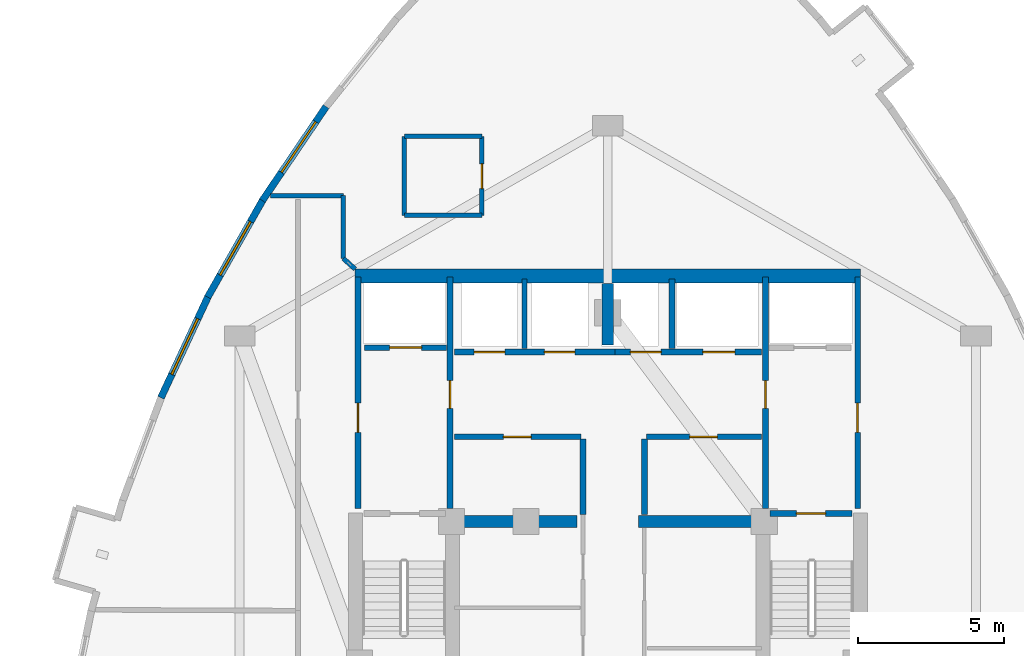
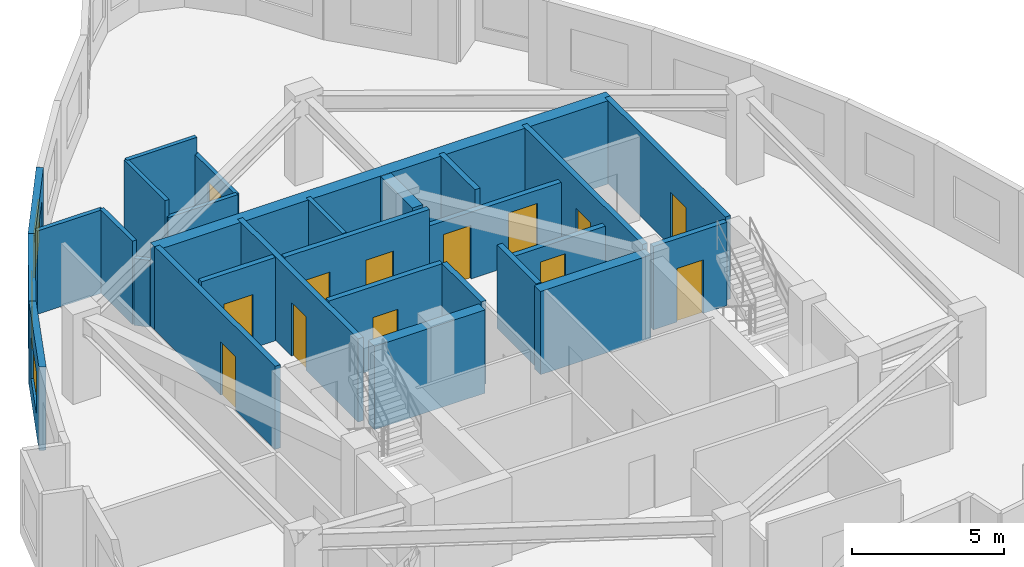
# One storey, part 6 of 9: 28 walls, 13 doors, 3 windows, 16 openings.
"""IFC4 building model written with IfcOpenShell, lengths in metres."""

from ifc_helpers import new_model, si_unit, direction, frame, frame_2d, origin, place, context, subcontext, project, spatial, rectangle, extrude, material, layer, layer_set, type_object, element, fill, save


model = new_model("IFC4")

# Units and contexts
model_context = context("Model", 3, precision=1e-05, world=origin(), true_north=direction((0.0, 1.0)))
body_context = subcontext(model_context, "Body", "Model", "MODEL_VIEW")
ifc_project = project(units=[si_unit("LENGTHUNIT", "METRE"), si_unit("AREAUNIT", "SQUARE_METRE"), si_unit("VOLUMEUNIT", "CUBIC_METRE"), si_unit("PLANEANGLEUNIT", "RADIAN"), si_unit("MASSUNIT", "GRAM", prefix="KILO")], contexts=[model_context])

# Site, building, storey
site_placement = place(None, origin())
site = spatial("IfcSite", under=ifc_project, at=site_placement, CompositionType="ELEMENT")
building_placement = place(site_placement, origin())
building = spatial("IfcBuilding", under=site, at=building_placement, Name="Miruveldt Soraemaru", CompositionType="ELEMENT")
storey_placement = place(building_placement, frame((0.0, 0.0, 223.199951171875)))
storey = spatial("IfcBuildingStorey", under=building, at=storey_placement, Name="L61", CompositionType="ELEMENT", Elevation=223.199951171875)

# Walls
ifc_material_1 = material(Name="Concrete C70/85 (70 MPa)", Category="concrete")
ifc_layer_1 = layer(ifc_material_1, 0.5, Name="Concrete C70/85 (70 MPa)", Category="concrete")
ifc_layer_set_1 = layer_set([ifc_layer_1], Name="Concrete C70/85 (70 MPa)")
wall_type_1 = type_object("IfcWallType", Name="WALL-BW-500", PredefinedType="SHEAR", material=ifc_layer_set_1)
wall_1_placement = place(storey_placement, frame((44.0, 50.10009765625, 0.0), z_axis=(0.0, 0.0, 1.0), x_axis=(0.0, 1.0, 0.0)))
element("IfcWall", 1, at=wall_1_placement, inside=storey, type_object=wall_type_1, Name="L61 Core Buttress Shear Wall BN", PredefinedType="SHEAR", context=body_context, shape_type="SweptSolid", body=[
    extrude(rectangle(XDim=2.099853515625, YDim=0.39990234375, at=frame_2d((1.0498046875, 0.0))), origin(), (0.0, 0.0, 1.0), 3.344970703125),
])
for number, where, z_axis, x_axis, name in (
    (2, (38.75, 44.050048828125, 0.0), (0.0, 0.0, 1.0), (1.0, 0.0, 0.0), "L61 Core Buttress Shear Wall BW"),
    (3, (45.050048828125, 44.050048828125, 0.0), (0.0, 0.0, 1.0), (1.0, 0.0, 0.0), "L61 Core Buttress Shear Wall BE"),
):
    element("IfcWall", number, at=place(storey_placement, frame(where, z_axis=z_axis, x_axis=x_axis)), inside=storey, type_object=wall_type_1, Name=name, PredefinedType="SHEAR", context=body_context, shape_type="SweptSolid", body=[
        extrude(rectangle(XDim=4.199951171875, YDim=0.39990234375, at=frame_2d((2.10009765625, 0.0))), origin(), (0.0, 0.0, 1.0), 3.344970703125),
    ])
ifc_material_2 = material(Name="Concrete C60/75 (60 MPa)", Category="concrete")
ifc_layer_2 = layer(ifc_material_2, 0.47998046875, Name="Concrete C60/75 (60 MPa)", Category="concrete")
ifc_layer_set_2 = layer_set([ifc_layer_2], Name="Concrete C60/75 (60 MPa)")
wall_type_2 = type_object("IfcWallType", Name="WALL-CW-480", PredefinedType="SHEAR", material=ifc_layer_set_2)
wall_2_placement = place(storey_placement, frame((35.35009765625, 52.449951171875, 0.0), z_axis=(0.0, 0.0, 1.0), x_axis=(1.0, 0.0, 0.0)))
element("IfcWall", 4, at=wall_2_placement, inside=storey, type_object=wall_type_2, Name="L61 Central Core Shear Wall N", PredefinedType="SHEAR", context=body_context, shape_type="SweptSolid", body=[
    extrude(rectangle(XDim=17.2998046875, YDim=0.47998046875, at=frame_2d((8.64990234375, 0.0))), origin(), (0.0, 0.0, 1.0), 3.344970703125),
])

# Wall, opening, window
ifc_material_3 = material(Name="Precast concrete C45/55 (45 MPa)", Category="concrete")
ifc_layer_3 = layer(ifc_material_3, 0.239990234375, Name="Precast concrete C45/55 (45 MPa)", Category="concrete")
ifc_layer_set_3 = layer_set([ifc_layer_3], Name="Precast concrete C45/55 (45 MPa)")
wall_type_3 = type_object("IfcWallType", Name="WALL-EXT-PC240", PredefinedType="SOLIDWALL", material=ifc_layer_set_3)
wall_3_placement = place(storey_placement, frame((34.358642578125, 58.252197265625, 0.0), z_axis=(0.0, 0.0, 1.0), x_axis=(-0.56079817789, -0.827952537091, 0.0)))
wall_3 = element("IfcWall", 5, at=wall_3_placement, inside=storey, type_object=wall_type_3, Name="L61 Precast Concrete Facade Wall 9", PredefinedType="SOLIDWALL", context=body_context, shape_type="SweptSolid", body=[
    extrude(rectangle(XDim=3.889404296875, YDim=0.239990234375, at=frame_2d((1.94482421875, 0.0))), origin(), (0.0, 0.0, 1.0), 3.344970703125),
])
opening_1_placement = place(wall_3_placement, frame((0.626953125, 0.0, 0.800048828125)))
opening_1 = element("IfcOpeningElement", 6, at=opening_1_placement, cuts=wall_3, Name="Opening WN-1", PredefinedType="OPENING", context=body_context, shape_type="SweptSolid", body=[
    extrude(rectangle(XDim=2.10009765625, YDim=1.699951171875, at=frame_2d((1.050048828125, 0.85009765625))), frame((0.0, 0.1298828125, 0.0), z_axis=(0.0, -1.0, 0.0), x_axis=(1.0, 0.0, 0.0)), (0.0, 0.0, 1.0), 0.260009765625),
])
ifc_material_4 = material(Name="Triple low-e insulated glazing", Category="glass")
window_type = type_object("IfcWindowType", Name="WIN-PUNCH-2100x1700", PartitioningType="SINGLE_PANEL", PredefinedType="WINDOW", material=ifc_material_4)
window_1_placement = place(opening_1_placement, origin())
window_1 = element("IfcWindow", 7, at=window_1_placement, inside=storey, type_object=window_type, Name="L61 Punched Triple-Glazed Window 09.1", OverallHeight=1.699951171875, OverallWidth=2.10009765625, PartitioningType="SINGLE_PANEL", PredefinedType="WINDOW", context=body_context, shape_type="SweptSolid", body=[
    extrude(rectangle(XDim=2.10009765625, YDim=1.699951171875, at=frame_2d((1.050048828125, 0.85009765625))), frame((0.0, 0.030029296875, 0.0), z_axis=(0.0, -1.0, 0.0), x_axis=(1.0, 0.0, 0.0)), (0.0, 0.0, 1.0), 0.06005859375),
])
fill(opening_1, window_1)

wall_4_placement = place(storey_placement, frame((32.21435546875, 55.091552734375, 0.0), z_axis=(0.0, 0.0, 1.0), x_axis=(-0.493367923575, -0.86982072405, 0.0)))
wall_4 = element("IfcWall", 8, at=wall_4_placement, inside=storey, type_object=wall_type_3, Name="L61 Precast Concrete Facade Wall 10", PredefinedType="SOLIDWALL", context=body_context, shape_type="SweptSolid", body=[
    extrude(rectangle(XDim=3.865234375, YDim=0.239990234375, at=frame_2d((1.9326171875, 0.0))), origin(), (0.0, 0.0, 1.0), 3.344970703125),
])
opening_2_placement = place(wall_4_placement, frame((0.89599609375, 0.0, 0.800048828125)))
opening_2 = element("IfcOpeningElement", 9, at=opening_2_placement, cuts=wall_4, Name="Opening WN-1", PredefinedType="OPENING", context=body_context, shape_type="SweptSolid", body=[
    extrude(rectangle(XDim=2.10009765625, YDim=1.699951171875, at=frame_2d((1.050048828125, 0.85009765625))), frame((0.0, 0.1298828125, 0.0), z_axis=(0.0, -1.0, 0.0), x_axis=(1.0, 0.0, 0.0)), (0.0, 0.0, 1.0), 0.260009765625),
])
window_2_placement = place(opening_2_placement, origin())
window_2 = element("IfcWindow", 10, at=window_2_placement, inside=storey, type_object=window_type, Name="L61 Punched Triple-Glazed Window 10.1", OverallHeight=1.699951171875, OverallWidth=2.10009765625, PartitioningType="SINGLE_PANEL", PredefinedType="WINDOW", context=body_context, shape_type="SweptSolid", body=[
    extrude(rectangle(XDim=2.10009765625, YDim=1.699951171875, at=frame_2d((1.050048828125, 0.85009765625))), frame((0.0, 0.030029296875, 0.0), z_axis=(0.0, -1.0, 0.0), x_axis=(1.0, 0.0, 0.0)), (0.0, 0.0, 1.0), 0.06005859375),
])
fill(opening_2, window_2)

wall_5_placement = place(storey_placement, frame((30.339599609375, 51.791748046875, 0.0), z_axis=(0.0, 0.0, 1.0), x_axis=(-0.422307921973, -0.90645243617, 0.0)))
wall_5 = element("IfcWall", 11, at=wall_5_placement, inside=storey, type_object=wall_type_3, Name="L61 Precast Concrete Facade Wall 11", PredefinedType="SOLIDWALL", context=body_context, shape_type="SweptSolid", body=[
    extrude(rectangle(XDim=3.865234375, YDim=0.239990234375, at=frame_2d((1.9326171875, 0.0))), origin(), (0.0, 0.0, 1.0), 3.344970703125),
])
opening_3_placement = place(wall_5_placement, frame((0.883056640625, 0.0, 0.800048828125)))
opening_3 = element("IfcOpeningElement", 12, at=opening_3_placement, cuts=wall_5, Name="Opening WN-1", PredefinedType="OPENING", context=body_context, shape_type="SweptSolid", body=[
    extrude(rectangle(XDim=2.10009765625, YDim=1.699951171875, at=frame_2d((1.050048828125, 0.85009765625))), frame((0.0, 0.1298828125, 0.0), z_axis=(0.0, -1.0, 0.0), x_axis=(1.0, 0.0, 0.0)), (0.0, 0.0, 1.0), 0.260009765625),
])
window_3_placement = place(opening_3_placement, origin())
window_3 = element("IfcWindow", 13, at=window_3_placement, inside=storey, type_object=window_type, Name="L61 Punched Triple-Glazed Window 11.1", OverallHeight=1.699951171875, OverallWidth=2.10009765625, PartitioningType="SINGLE_PANEL", PredefinedType="WINDOW", context=body_context, shape_type="SweptSolid", body=[
    extrude(rectangle(XDim=2.10009765625, YDim=1.699951171875, at=frame_2d((1.050048828125, 0.85009765625))), frame((0.0, 0.030029296875, 0.0), z_axis=(0.0, -1.0, 0.0), x_axis=(1.0, 0.0, 0.0)), (0.0, 0.0, 1.0), 0.06005859375),
])
fill(opening_3, window_3)

# Wall, opening, door
ifc_material_5 = material(Name="Gypsum plasterboard lining", Category="gypsum")
ifc_layer_4 = layer(ifc_material_5, 0.14990234375, Name="Gypsum plasterboard lining", Category="gypsum")
ifc_layer_set_4 = layer_set([ifc_layer_4], Name="Gypsum plasterboard lining")
wall_type_4 = type_object("IfcWallType", Name="WALL-INT-PLUMB", PredefinedType="PLUMBINGWALL", material=ifc_layer_set_4)
wall_6_placement = place(storey_placement, frame((39.68798828125, 54.530029296875, 0.0), z_axis=(0.0, 0.0, 1.0), x_axis=(0.0, 1.0, 0.0)))
wall_6 = element("IfcWall", 14, at=wall_6_placement, inside=storey, type_object=wall_type_4, Name="L61 Partition Wall 11", PredefinedType="PLUMBINGWALL", context=body_context, shape_type="SweptSolid", body=[
    extrude(rectangle(XDim=2.699951171875, YDim=0.14990234375, at=frame_2d((1.35009765625, 0.0))), origin(), (0.0, 0.0, 1.0), 2.68310546875),
])
opening_4_placement = place(wall_6_placement, frame((0.909912109375, 0.0, 0.0)))
opening_4 = element("IfcOpeningElement", 15, at=opening_4_placement, cuts=wall_6, Name="Opening FD3", PredefinedType="OPENING", context=body_context, shape_type="SweptSolid", body=[
    extrude(rectangle(XDim=0.85009765625, YDim=2.10009765625, at=frame_2d((0.425048828125, 1.050048828125))), frame((0.0, 0.0849609375, 0.0), z_axis=(0.0, -1.0, 0.0), x_axis=(1.0, 0.0, 0.0)), (0.0, 0.0, 1.0), 0.169921875),
])
ifc_material_6 = material(Name="Anodised aluminium EN AW-6063 T6", Category="aluminium")
door_type_1 = type_object("IfcDoorType", Name="DOOR-FD3-850", OperationType="NOTDEFINED", PredefinedType="DOOR", material=ifc_material_6)
door_1_placement = place(opening_4_placement, origin())
door_1 = element("IfcDoor", 16, at=door_1_placement, inside=storey, type_object=door_type_1, Name="L61 Unit CL01 BTH Door", OperationType="SINGLE_SWING_RIGHT", OverallHeight=2.10009765625, OverallWidth=0.85009765625, PredefinedType="DOOR", context=body_context, shape_type="SweptSolid", body=[
    extrude(rectangle(XDim=0.85009765625, YDim=2.10009765625, at=frame_2d((0.425048828125, 1.050048828125))), frame((0.0, 0.02490234375, 0.0), z_axis=(0.0, -1.0, 0.0), x_axis=(1.0, 0.0, 0.0)), (0.0, 0.0, 1.0), 0.050048828125),
])
fill(opening_4, door_1)

# Walls
wall_7_placement = place(storey_placement, frame((37.0380859375, 57.22998046875, 0.0), z_axis=(0.0, 0.0, 1.0), x_axis=(0.0, -1.0, 0.0)))
element("IfcWall", 17, at=wall_7_placement, inside=storey, type_object=wall_type_4, Name="L61 Partition Wall 13", PredefinedType="PLUMBINGWALL", context=body_context, shape_type="SweptSolid", body=[
    extrude(rectangle(XDim=2.699951171875, YDim=0.14990234375, at=frame_2d((1.35009765625, 0.0))), origin(), (0.0, 0.0, 1.0), 3.344970703125),
])
wall_8_placement = place(storey_placement, frame((39.68798828125, 57.22998046875, 0.0), z_axis=(0.0, 0.0, 1.0), x_axis=(-1.0, 0.0, 0.0)))
element("IfcWall", 18, at=wall_8_placement, inside=storey, type_object=wall_type_4, Name="L61 Partition Wall 12", PredefinedType="PLUMBINGWALL", context=body_context, shape_type="SweptSolid", body=[
    extrude(rectangle(XDim=2.64990234375, YDim=0.14990234375, at=frame_2d((1.324951171875, 0.0))), origin(), (0.0, 0.0, 1.0), 3.344970703125),
])
wall_9_placement = place(storey_placement, frame((37.0380859375, 54.530029296875, 0.0), z_axis=(0.0, 0.0, 1.0), x_axis=(1.0, 0.0, 0.0)))
element("IfcWall", 19, at=wall_9_placement, inside=storey, type_object=wall_type_4, Name="L61 Partition Wall 14", PredefinedType="PLUMBINGWALL", context=body_context, shape_type="SweptSolid", body=[
    extrude(rectangle(XDim=2.64990234375, YDim=0.14990234375, at=frame_2d((1.324951171875, 0.0))), origin(), (0.0, 0.0, 1.0), 2.68310546875),
])
ifc_material_7 = material(Name="Concrete C40/50 (40 MPa)", Category="concrete")
ifc_layer_5 = layer(ifc_material_7, 0.159912109375, Name="Concrete C40/50 (40 MPa)", Category="concrete")
ifc_layer_set_5 = layer_set([ifc_layer_5], Name="Concrete C40/50 (40 MPa)")
wall_type_5 = type_object("IfcWallType", Name="WALL-INT-RC160", PredefinedType="SOLIDWALL", material=ifc_layer_set_5)
wall_10_placement = place(storey_placement, frame((34.949951171875, 55.199951171875, 0.0), z_axis=(0.0, 0.0, 1.0), x_axis=(-1.0, 0.0, 0.0)))
element("IfcWall", 20, at=wall_10_placement, inside=storey, type_object=wall_type_5, Name="L61 Partition Wall 2", PredefinedType="SOLIDWALL", context=body_context, shape_type="SweptSolid", body=[
    extrude(rectangle(XDim=2.495849609375, YDim=0.159912109375, at=frame_2d((1.248046875, 0.0))), origin(), (0.0, 0.0, 1.0), 3.344970703125),
])
wall_11_placement = place(storey_placement, frame((41.14990234375, 49.97998046875, 0.0), z_axis=(0.0, 0.0, 1.0), x_axis=(0.0, 1.0, 0.0)))
element("IfcWall", 21, at=wall_11_placement, inside=storey, type_object=wall_type_5, Name="L61 Core Compartment Wall PLH-DIV1", PredefinedType="SOLIDWALL", context=body_context, shape_type="SweptSolid", body=[
    extrude(rectangle(XDim=2.3701171875, YDim=0.159912109375, at=frame_2d((1.18505859375, 0.0))), origin(), (0.0, 0.0, 1.0), 3.344970703125),
])
wall_12_placement = place(storey_placement, frame((34.949951171875, 53.053955078125, 0.0), z_axis=(0.0, 0.0, 1.0), x_axis=(0.0, 1.0, 0.0)))
element("IfcWall", 22, at=wall_12_placement, inside=storey, type_object=wall_type_5, Name="L61 Partition Wall 1", PredefinedType="SOLIDWALL", context=body_context, shape_type="SweptSolid", body=[
    extrude(rectangle(XDim=2.14599609375, YDim=0.159912109375, at=frame_2d((1.072998046875, 0.0))), origin(), (0.0, 0.0, 1.0), 3.344970703125),
])
wall_13_placement = place(storey_placement, frame((34.949951171875, 53.053955078125, 0.0), z_axis=(0.0, 0.0, 1.0), x_axis=(0.739715392641, -0.672919859931, 0.0)))
element("IfcWall", 23, at=wall_13_placement, inside=storey, type_object=wall_type_5, Name="L61 Partition Closure Return 1", PredefinedType="SOLIDWALL", context=body_context, shape_type="SweptSolid", body=[
    extrude(rectangle(XDim=0.541015625, YDim=0.159912109375, at=frame_2d((0.2705078125, 0.0))), origin(), (0.0, 0.0, 1.0), 2.68310546875),
])

# Wall, opening, door
ifc_layer_6 = layer(ifc_material_7, 0.199951171875, Name="Concrete C40/50 (40 MPa)", Category="concrete")
ifc_layer_set_6 = layer_set([ifc_layer_6], Name="Concrete C40/50 (40 MPa)")
wall_type_6 = type_object("IfcWallType", Name="WALL-INT-RC200", PredefinedType="SOLIDWALL", material=ifc_layer_set_6)
wall_14_placement = place(storey_placement, frame((35.449951171875, 44.5, 0.0), z_axis=(0.0, 0.0, 1.0), x_axis=(0.0, 1.0, 0.0)))
wall_14 = element("IfcWall", 24, at=wall_14_placement, inside=storey, type_object=wall_type_6, Name="L61 Core Compartment Wall FFW-OUT", PredefinedType="SOLIDWALL", context=body_context, shape_type="SweptSolid", body=[
    extrude(rectangle(XDim=7.919921875, YDim=0.199951171875, at=frame_2d((3.9599609375, 0.0))), origin(), (0.0, 0.0, 1.0), 3.344970703125),
])
opening_5_placement = place(wall_14_placement, frame((2.60009765625, 0.0, 0.0)))
opening_5 = element("IfcOpeningElement", 25, at=opening_5_placement, cuts=wall_14, Name="Opening FD1", PredefinedType="OPENING", context=body_context, shape_type="SweptSolid", body=[
    extrude(rectangle(XDim=1.0, YDim=2.14990234375, at=frame_2d((0.5, 1.074951171875))), frame((0.0, 0.10986328125, 0.0), z_axis=(0.0, -1.0, 0.0), x_axis=(1.0, 0.0, 0.0)), (0.0, 0.0, 1.0), 0.219970703125),
])
door_type_2 = type_object("IfcDoorType", Name="DOOR-FD1-1000", OperationType="NOTDEFINED", PredefinedType="DOOR", material=ifc_material_6)
door_2_placement = place(opening_5_placement, origin())
door_2 = element("IfcDoor", 26, at=door_2_placement, inside=storey, type_object=door_type_2, Name="L61 West Firefighting Lobby Exit Door", OperationType="SINGLE_SWING_LEFT", OverallHeight=2.14990234375, OverallWidth=1.0, PredefinedType="DOOR", context=body_context, shape_type="SweptSolid", body=[
    extrude(rectangle(XDim=1.0, YDim=2.14990234375, at=frame_2d((0.5, 1.074951171875))), frame((0.0, 0.02490234375, 0.0), z_axis=(0.0, -1.0, 0.0), x_axis=(1.0, 0.0, 0.0)), (0.0, 0.0, 1.0), 0.050048828125),
])
fill(opening_5, door_2)

wall_15_placement = place(storey_placement, frame((52.550048828125, 44.5, 0.0), z_axis=(0.0, 0.0, 1.0), x_axis=(0.0, 1.0, 0.0)))
wall_15 = element("IfcWall", 27, at=wall_15_placement, inside=storey, type_object=wall_type_6, Name="L61 Core Compartment Wall FFE-OUT", PredefinedType="SOLIDWALL", context=body_context, shape_type="SweptSolid", body=[
    extrude(rectangle(XDim=7.919921875, YDim=0.199951171875, at=frame_2d((3.9599609375, 0.0))), origin(), (0.0, 0.0, 1.0), 3.344970703125),
])
opening_6_placement = place(wall_15_placement, frame((2.60009765625, 0.0, 0.0)))
opening_6 = element("IfcOpeningElement", 28, at=opening_6_placement, cuts=wall_15, Name="Opening FD1", PredefinedType="OPENING", context=body_context, shape_type="SweptSolid", body=[
    extrude(rectangle(XDim=1.0, YDim=2.14990234375, at=frame_2d((0.5, 1.074951171875))), frame((0.0, 0.10986328125, 0.0), z_axis=(0.0, -1.0, 0.0), x_axis=(1.0, 0.0, 0.0)), (0.0, 0.0, 1.0), 0.219970703125),
])
door_3_placement = place(opening_6_placement, frame((1.0, 0.0, 0.0), z_axis=(0.0, 0.0, 1.0), x_axis=(-1.0, 0.0, 0.0)))
door_3 = element("IfcDoor", 29, at=door_3_placement, inside=storey, type_object=door_type_2, Name="L61 East Firefighting Lobby Exit Door", OperationType="SINGLE_SWING_RIGHT", OverallHeight=2.14990234375, OverallWidth=1.0, PredefinedType="DOOR", context=body_context, shape_type="SweptSolid", body=[
    extrude(rectangle(XDim=1.0, YDim=2.14990234375, at=frame_2d((0.5, 1.074951171875))), frame((0.0, 0.02490234375, 0.0), z_axis=(0.0, -1.0, 0.0), x_axis=(1.0, 0.0, 0.0)), (0.0, 0.0, 1.0), 0.050048828125),
])
fill(opening_6, door_3)

wall_16_placement = place(storey_placement, frame((38.60009765625, 44.5, 0.0), z_axis=(0.0, 0.0, 1.0), x_axis=(0.0, 1.0, 0.0)))
wall_16 = element("IfcWall", 30, at=wall_16_placement, inside=storey, type_object=wall_type_6, Name="L61 Core Compartment Wall FFW-IN", PredefinedType="SOLIDWALL", context=body_context, shape_type="SweptSolid", body=[
    extrude(rectangle(XDim=7.919921875, YDim=0.199951171875, at=frame_2d((3.9599609375, 0.0))), origin(), (0.0, 0.0, 1.0), 3.344970703125),
])
opening_7_placement = place(wall_16_placement, frame((3.425048828125, 0.0, 0.0)))
opening_7 = element("IfcOpeningElement", 31, at=opening_7_placement, cuts=wall_16, Name="Opening FD2", PredefinedType="OPENING", context=body_context, shape_type="SweptSolid", body=[
    extrude(rectangle(XDim=0.949951171875, YDim=2.14990234375, at=frame_2d((0.47509765625, 1.074951171875))), frame((0.0, 0.10986328125, 0.0), z_axis=(0.0, -1.0, 0.0), x_axis=(1.0, 0.0, 0.0)), (0.0, 0.0, 1.0), 0.219970703125),
])
door_type_3 = type_object("IfcDoorType", Name="DOOR-FD2-950", OperationType="NOTDEFINED", PredefinedType="DOOR", material=ifc_material_6)
door_4_placement = place(opening_7_placement, frame((0.949951171875, 0.0, 0.0), z_axis=(0.0, 0.0, 1.0), x_axis=(-1.0, 0.0, 0.0)))
door_4 = element("IfcDoor", 32, at=door_4_placement, inside=storey, type_object=door_type_3, Name="L61 Lift Lobby to West Fire Lobby Door", OperationType="SINGLE_SWING_RIGHT", OverallHeight=2.14990234375, OverallWidth=0.949951171875, PredefinedType="DOOR", context=body_context, shape_type="SweptSolid", body=[
    extrude(rectangle(XDim=0.949951171875, YDim=2.14990234375, at=frame_2d((0.47509765625, 1.074951171875))), frame((0.0, 0.02490234375, 0.0), z_axis=(0.0, -1.0, 0.0), x_axis=(1.0, 0.0, 0.0)), (0.0, 0.0, 1.0), 0.050048828125),
])
fill(opening_7, door_4)

wall_17_placement = place(storey_placement, frame((49.39990234375, 44.5, 0.0), z_axis=(0.0, 0.0, 1.0), x_axis=(0.0, 1.0, 0.0)))
wall_17 = element("IfcWall", 33, at=wall_17_placement, inside=storey, type_object=wall_type_6, Name="L61 Core Compartment Wall FFE-IN", PredefinedType="SOLIDWALL", context=body_context, shape_type="SweptSolid", body=[
    extrude(rectangle(XDim=7.919921875, YDim=0.199951171875, at=frame_2d((3.9599609375, 0.0))), origin(), (0.0, 0.0, 1.0), 3.344970703125),
])
opening_8_placement = place(wall_17_placement, frame((3.425048828125, 0.0, 0.0)))
opening_8 = element("IfcOpeningElement", 34, at=opening_8_placement, cuts=wall_17, Name="Opening FD2", PredefinedType="OPENING", context=body_context, shape_type="SweptSolid", body=[
    extrude(rectangle(XDim=0.949951171875, YDim=2.14990234375, at=frame_2d((0.47509765625, 1.074951171875))), frame((0.0, 0.10986328125, 0.0), z_axis=(0.0, -1.0, 0.0), x_axis=(1.0, 0.0, 0.0)), (0.0, 0.0, 1.0), 0.219970703125),
])
door_5_placement = place(opening_8_placement, origin())
door_5 = element("IfcDoor", 35, at=door_5_placement, inside=storey, type_object=door_type_3, Name="L61 Lift Lobby to East Fire Lobby Door", OperationType="SINGLE_SWING_LEFT", OverallHeight=2.14990234375, OverallWidth=0.949951171875, PredefinedType="DOOR", context=body_context, shape_type="SweptSolid", body=[
    extrude(rectangle(XDim=0.949951171875, YDim=2.14990234375, at=frame_2d((0.47509765625, 1.074951171875))), frame((0.0, 0.02490234375, 0.0), z_axis=(0.0, -1.0, 0.0), x_axis=(1.0, 0.0, 0.0)), (0.0, 0.0, 1.0), 0.050048828125),
])
fill(opening_8, door_5)

# Wall, openings, doors
wall_18_placement = place(storey_placement, frame((38.75, 49.85009765625, 0.0), z_axis=(0.0, 0.0, 1.0), x_axis=(1.0, 0.0, 0.0)))
wall_18 = element("IfcWall", 36, at=wall_18_placement, inside=storey, type_object=wall_type_6, Name="L61 Core Compartment Wall ROWA-SW", PredefinedType="SOLIDWALL", context=body_context, shape_type="SweptSolid", body=[
    extrude(rectangle(XDim=5.5, YDim=0.199951171875, at=frame_2d((2.75, 0.0))), origin(), (0.0, 0.0, 1.0), 3.344970703125),
])
opening_9_placement = place(wall_18_placement, frame((0.675048828125, 0.0, 0.0)))
opening_9 = element("IfcOpeningElement", 37, at=opening_9_placement, cuts=wall_18, Name="Opening LD1", PredefinedType="OPENING", context=body_context, shape_type="SweptSolid", body=[
    extrude(rectangle(XDim=1.050048828125, YDim=2.14990234375, at=frame_2d((0.52490234375, 1.074951171875))), frame((0.0, 0.10986328125, 0.0), z_axis=(0.0, -1.0, 0.0), x_axis=(1.0, 0.0, 0.0)), (0.0, 0.0, 1.0), 0.219970703125),
])
opening_10_placement = place(wall_18_placement, frame((3.074951171875, 0.0, 0.0)))
opening_10 = element("IfcOpeningElement", 38, at=opening_10_placement, cuts=wall_18, Name="Opening LD1", PredefinedType="OPENING", context=body_context, shape_type="SweptSolid", body=[
    extrude(rectangle(XDim=1.050048828125, YDim=2.14990234375, at=frame_2d((0.52490234375, 1.074951171875))), frame((0.0, 0.10986328125, 0.0), z_axis=(0.0, -1.0, 0.0), x_axis=(1.0, 0.0, 0.0)), (0.0, 0.0, 1.0), 0.219970703125),
])
door_type_4 = type_object("IfcDoorType", Name="DOOR-LD1-1050", OperationType="SLIDING_TO_LEFT", PredefinedType="DOOR", material=ifc_material_6)
door_6_placement = place(opening_9_placement, origin())
door_6 = element("IfcDoor", 39, at=door_6_placement, inside=storey, type_object=door_type_4, Name="L61 PL-H1 Landing Door", OperationType="SLIDING_TO_LEFT", OverallHeight=2.14990234375, OverallWidth=1.050048828125, PredefinedType="DOOR", context=body_context, shape_type="SweptSolid", body=[
    extrude(rectangle(XDim=1.050048828125, YDim=2.14990234375, at=frame_2d((0.52490234375, 1.074951171875))), frame((0.0, 0.02490234375, 0.0), z_axis=(0.0, -1.0, 0.0), x_axis=(1.0, 0.0, 0.0)), (0.0, 0.0, 1.0), 0.050048828125),
])
fill(opening_9, door_6)
door_7_placement = place(opening_10_placement, origin())
door_7 = element("IfcDoor", 40, at=door_7_placement, inside=storey, type_object=door_type_4, Name="L61 PL-H2 Landing Door", OperationType="SLIDING_TO_LEFT", OverallHeight=2.14990234375, OverallWidth=1.050048828125, PredefinedType="DOOR", context=body_context, shape_type="SweptSolid", body=[
    extrude(rectangle(XDim=1.050048828125, YDim=2.14990234375, at=frame_2d((0.52490234375, 1.074951171875))), frame((0.0, 0.02490234375, 0.0), z_axis=(0.0, -1.0, 0.0), x_axis=(1.0, 0.0, 0.0)), (0.0, 0.0, 1.0), 0.050048828125),
])
fill(opening_10, door_7)

wall_19_placement = place(storey_placement, frame((44.25, 49.85009765625, 0.0), z_axis=(0.0, 0.0, 1.0), x_axis=(1.0, 0.0, 0.0)))
wall_19 = element("IfcWall", 41, at=wall_19_placement, inside=storey, type_object=wall_type_6, Name="L61 Core Compartment Wall ROWA-SE", PredefinedType="SOLIDWALL", context=body_context, shape_type="SweptSolid", body=[
    extrude(rectangle(XDim=5.0, YDim=0.199951171875, at=frame_2d((2.5, 0.0))), origin(), (0.0, 0.0, 1.0), 2.68310546875),
])
opening_11_placement = place(wall_19_placement, frame((0.52490234375, 0.0, 0.0)))
opening_11 = element("IfcOpeningElement", 42, at=opening_11_placement, cuts=wall_19, Name="Opening LD1", PredefinedType="OPENING", context=body_context, shape_type="SweptSolid", body=[
    extrude(rectangle(XDim=1.050048828125, YDim=2.14990234375, at=frame_2d((0.52490234375, 1.074951171875))), frame((0.0, 0.10986328125, 0.0), z_axis=(0.0, -1.0, 0.0), x_axis=(1.0, 0.0, 0.0)), (0.0, 0.0, 1.0), 0.219970703125),
])
opening_12_placement = place(wall_19_placement, frame((3.0, 0.0, 0.0)))
opening_12 = element("IfcOpeningElement", 43, at=opening_12_placement, cuts=wall_19, Name="Opening LD2", PredefinedType="OPENING", context=body_context, shape_type="SweptSolid", body=[
    extrude(rectangle(XDim=1.10009765625, YDim=2.14990234375, at=frame_2d((0.550048828125, 1.074951171875))), frame((0.0, 0.10986328125, 0.0), z_axis=(0.0, -1.0, 0.0), x_axis=(1.0, 0.0, 0.0)), (0.0, 0.0, 1.0), 0.219970703125),
])
door_8_placement = place(opening_11_placement, origin())
door_8 = element("IfcDoor", 44, at=door_8_placement, inside=storey, type_object=door_type_4, Name="L61 PL-H3 Landing Door", OperationType="SLIDING_TO_LEFT", OverallHeight=2.14990234375, OverallWidth=1.050048828125, PredefinedType="DOOR", context=body_context, shape_type="SweptSolid", body=[
    extrude(rectangle(XDim=1.050048828125, YDim=2.14990234375, at=frame_2d((0.52490234375, 1.074951171875))), frame((0.0, 0.02490234375, 0.0), z_axis=(0.0, -1.0, 0.0), x_axis=(1.0, 0.0, 0.0)), (0.0, 0.0, 1.0), 0.050048828125),
])
fill(opening_11, door_8)
door_type_5 = type_object("IfcDoorType", Name="DOOR-LD2-1100", OperationType="SLIDING_TO_LEFT", PredefinedType="DOOR", material=ifc_material_6)
door_9_placement = place(opening_12_placement, origin())
door_9 = element("IfcDoor", 45, at=door_9_placement, inside=storey, type_object=door_type_5, Name="L61 SL-1 Landing Door", OperationType="SLIDING_TO_LEFT", OverallHeight=2.14990234375, OverallWidth=1.10009765625, PredefinedType="DOOR", context=body_context, shape_type="SweptSolid", body=[
    extrude(rectangle(XDim=1.10009765625, YDim=2.14990234375, at=frame_2d((0.550048828125, 1.074951171875))), frame((0.0, 0.02490234375, 0.0), z_axis=(0.0, -1.0, 0.0), x_axis=(1.0, 0.0, 0.0)), (0.0, 0.0, 1.0), 0.050048828125),
])
fill(opening_12, door_9)

# Wall, opening, door
wall_20_placement = place(storey_placement, frame((38.75, 46.949951171875, 0.0), z_axis=(0.0, 0.0, 1.0), x_axis=(1.0, 0.0, 0.0)))
wall_20 = element("IfcWall", 46, at=wall_20_placement, inside=storey, type_object=wall_type_6, Name="L61 Core Compartment Wall MBW-N", PredefinedType="SOLIDWALL", context=body_context, shape_type="SweptSolid", body=[
    extrude(rectangle(XDim=4.330078125, YDim=0.199951171875, at=frame_2d((2.1650390625, 0.0))), origin(), (0.0, 0.0, 1.0), 3.344970703125),
])
opening_13_placement = place(wall_20_placement, frame((1.675048828125, 0.0, 0.0)))
opening_13 = element("IfcOpeningElement", 47, at=opening_13_placement, cuts=wall_20, Name="Opening D2", PredefinedType="OPENING", context=body_context, shape_type="SweptSolid", body=[
    extrude(rectangle(XDim=0.949951171875, YDim=2.10009765625, at=frame_2d((0.47509765625, 1.050048828125))), frame((0.0, 0.10986328125, 0.0), z_axis=(0.0, -1.0, 0.0), x_axis=(1.0, 0.0, 0.0)), (0.0, 0.0, 1.0), 0.219970703125),
])
door_type_6 = type_object("IfcDoorType", Name="DOOR-INT-950", OperationType="NOTDEFINED", PredefinedType="DOOR", material=ifc_material_6)
door_10_placement = place(opening_13_placement, origin())
door_10 = element("IfcDoor", 48, at=door_10_placement, inside=storey, type_object=door_type_6, Name="L61 Fire Door", OperationType="SINGLE_SWING_LEFT", OverallHeight=2.10009765625, OverallWidth=0.949951171875, PredefinedType="DOOR", context=body_context, shape_type="SweptSolid", body=[
    extrude(rectangle(XDim=0.949951171875, YDim=2.10009765625, at=frame_2d((0.47509765625, 1.050048828125))), frame((0.0, 0.02490234375, 0.0), z_axis=(0.0, -1.0, 0.0), x_axis=(1.0, 0.0, 0.0)), (0.0, 0.0, 1.0), 0.050048828125),
])
fill(opening_13, door_10)

wall_21_placement = place(storey_placement, frame((45.320068359375, 46.949951171875, 0.0), z_axis=(0.0, 0.0, 1.0), x_axis=(1.0, 0.0, 0.0)))
wall_21 = element("IfcWall", 49, at=wall_21_placement, inside=storey, type_object=wall_type_6, Name="L61 Core Compartment Wall MBE-N", PredefinedType="SOLIDWALL", context=body_context, shape_type="SweptSolid", body=[
    extrude(rectangle(XDim=3.929931640625, YDim=0.199951171875, at=frame_2d((1.96484375, 0.0))), origin(), (0.0, 0.0, 1.0), 2.68310546875),
])
opening_14_placement = place(wall_21_placement, frame((1.47509765625, 0.0, 0.0)))
opening_14 = element("IfcOpeningElement", 50, at=opening_14_placement, cuts=wall_21, Name="Opening D2", PredefinedType="OPENING", context=body_context, shape_type="SweptSolid", body=[
    extrude(rectangle(XDim=0.949951171875, YDim=2.10009765625, at=frame_2d((0.47509765625, 1.050048828125))), frame((0.0, 0.10986328125, 0.0), z_axis=(0.0, -1.0, 0.0), x_axis=(1.0, 0.0, 0.0)), (0.0, 0.0, 1.0), 0.219970703125),
])
door_11_placement = place(opening_14_placement, origin())
door_11 = element("IfcDoor", 51, at=door_11_placement, inside=storey, type_object=door_type_6, Name="L61 Fire Door", OperationType="SINGLE_SWING_LEFT", OverallHeight=2.10009765625, OverallWidth=0.949951171875, PredefinedType="DOOR", context=body_context, shape_type="SweptSolid", body=[
    extrude(rectangle(XDim=0.949951171875, YDim=2.10009765625, at=frame_2d((0.47509765625, 1.050048828125))), frame((0.0, 0.02490234375, 0.0), z_axis=(0.0, -1.0, 0.0), x_axis=(1.0, 0.0, 0.0)), (0.0, 0.0, 1.0), 0.050048828125),
])
fill(opening_14, door_11)

wall_22_placement = place(storey_placement, frame((49.550048828125, 44.320068359375, 0.0), z_axis=(0.0, 0.0, 1.0), x_axis=(1.0, 0.0, 0.0)))
wall_22 = element("IfcWall", 52, at=wall_22_placement, inside=storey, type_object=wall_type_6, Name="L61 Core Compartment Wall ST2-N", PredefinedType="SOLIDWALL", context=body_context, shape_type="SweptSolid", body=[
    extrude(rectangle(XDim=2.800048828125, YDim=0.199951171875, at=frame_2d((1.39990234375, 0.0))), origin(), (0.0, 0.0, 1.0), 3.344970703125),
])
opening_15_placement = place(wall_22_placement, frame((0.89990234375, 0.0, 0.0)))
opening_15 = element("IfcOpeningElement", 53, at=opening_15_placement, cuts=wall_22, Name="Opening FD1", PredefinedType="OPENING", context=body_context, shape_type="SweptSolid", body=[
    extrude(rectangle(XDim=1.0, YDim=2.14990234375, at=frame_2d((0.5, 1.074951171875))), frame((0.0, 0.10986328125, 0.0), z_axis=(0.0, -1.0, 0.0), x_axis=(1.0, 0.0, 0.0)), (0.0, 0.0, 1.0), 0.219970703125),
])
door_12_placement = place(opening_15_placement, frame((1.0, 0.0, 0.0), z_axis=(0.0, 0.0, 1.0), x_axis=(-1.0, 0.0, 0.0)))
door_12 = element("IfcDoor", 54, at=door_12_placement, inside=storey, type_object=door_type_2, Name="L61 Stair ST-2 Fire Door", OperationType="SINGLE_SWING_RIGHT", OverallHeight=2.14990234375, OverallWidth=1.0, PredefinedType="DOOR", context=body_context, shape_type="SweptSolid", body=[
    extrude(rectangle(XDim=1.0, YDim=2.14990234375, at=frame_2d((0.5, 1.074951171875))), frame((0.0, 0.02490234375, 0.0), z_axis=(0.0, -1.0, 0.0), x_axis=(1.0, 0.0, 0.0)), (0.0, 0.0, 1.0), 0.050048828125),
])
fill(opening_15, door_12)

wall_23_placement = place(storey_placement, frame((35.679931640625, 50.0, 0.0), z_axis=(0.0, 0.0, 1.0), x_axis=(1.0, 0.0, 0.0)))
wall_23 = element("IfcWall", 55, at=wall_23_placement, inside=storey, type_object=wall_type_6, Name="L61 Core Compartment Wall FFL1-S", PredefinedType="SOLIDWALL", context=body_context, shape_type="SweptSolid", body=[
    extrude(rectangle(XDim=2.800048828125, YDim=0.199951171875, at=frame_2d((1.39990234375, 0.0))), origin(), (0.0, 0.0, 1.0), 3.344970703125),
])
opening_16_placement = place(wall_23_placement, frame((0.85009765625, 0.0, 0.0)))
opening_16 = element("IfcOpeningElement", 56, at=opening_16_placement, cuts=wall_23, Name="Opening LD2", PredefinedType="OPENING", context=body_context, shape_type="SweptSolid", body=[
    extrude(rectangle(XDim=1.10009765625, YDim=2.14990234375, at=frame_2d((0.550048828125, 1.074951171875))), frame((0.0, 0.10986328125, 0.0), z_axis=(0.0, -1.0, 0.0), x_axis=(1.0, 0.0, 0.0)), (0.0, 0.0, 1.0), 0.219970703125),
])
door_13_placement = place(opening_16_placement, origin())
door_13 = element("IfcDoor", 57, at=door_13_placement, inside=storey, type_object=door_type_5, Name="L61 FFL-1 Landing Door", OperationType="SLIDING_TO_LEFT", OverallHeight=2.14990234375, OverallWidth=1.10009765625, PredefinedType="DOOR", context=body_context, shape_type="SweptSolid", body=[
    extrude(rectangle(XDim=1.10009765625, YDim=2.14990234375, at=frame_2d((0.550048828125, 1.074951171875))), frame((0.0, 0.02490234375, 0.0), z_axis=(0.0, -1.0, 0.0), x_axis=(1.0, 0.0, 0.0)), (0.0, 0.0, 1.0), 0.050048828125),
])
fill(opening_16, door_13)

# Walls
for number, where, z_axis, x_axis, name in (
    (58, (43.14990234375, 44.300048828125, 0.0), (0.0, 0.0, 1.0), (0.0, 1.0, 0.0), "L61 Core Compartment Wall SP-WB"),
    (59, (45.25, 44.300048828125, 0.0), (0.0, 0.0, 1.0), (0.0, 1.0, 0.0), "L61 Core Compartment Wall SP-EB"),
):
    element("IfcWall", number, at=place(storey_placement, frame(where, z_axis=z_axis, x_axis=x_axis)), inside=storey, type_object=wall_type_6, Name=name, PredefinedType="SOLIDWALL", context=body_context, shape_type="SweptSolid", body=[
        extrude(rectangle(XDim=2.579833984375, YDim=0.199951171875, at=frame_2d((1.2900390625, 0.0))), origin(), (0.0, 0.0, 1.0), 3.344970703125),
    ])
wall_24_placement = place(storey_placement, frame((46.199951171875, 49.97998046875, 0.0), z_axis=(0.0, 0.0, 1.0), x_axis=(0.0, 1.0, 0.0)))
element("IfcWall", 60, at=wall_24_placement, inside=storey, type_object=wall_type_6, Name="L61 Core Compartment Wall PLH-SL-DIV", PredefinedType="SOLIDWALL", context=body_context, shape_type="SweptSolid", body=[
    extrude(rectangle(XDim=2.3701171875, YDim=0.199951171875, at=frame_2d((1.18505859375, 0.0))), origin(), (0.0, 0.0, 1.0), 3.344970703125),
])

save(model, "model.ifc")
